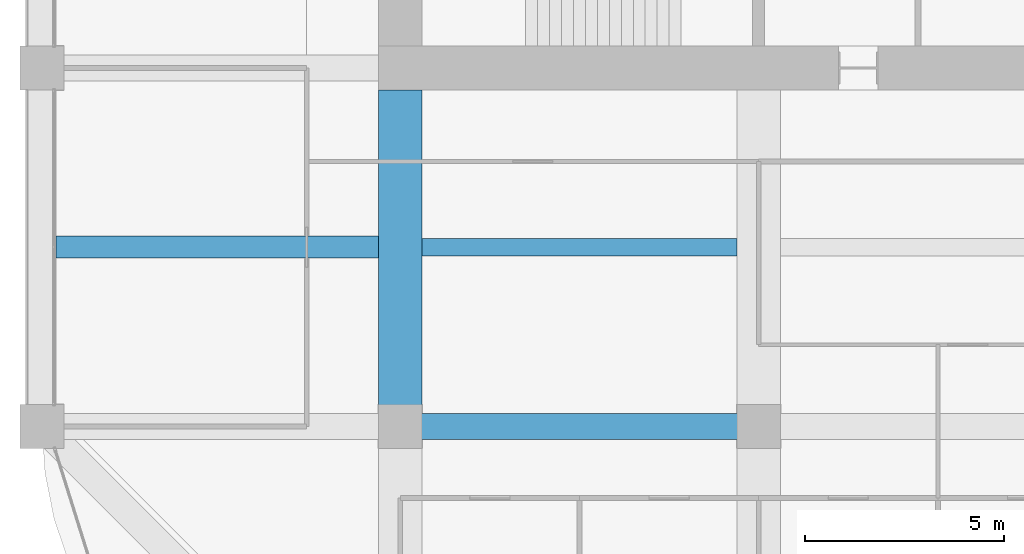
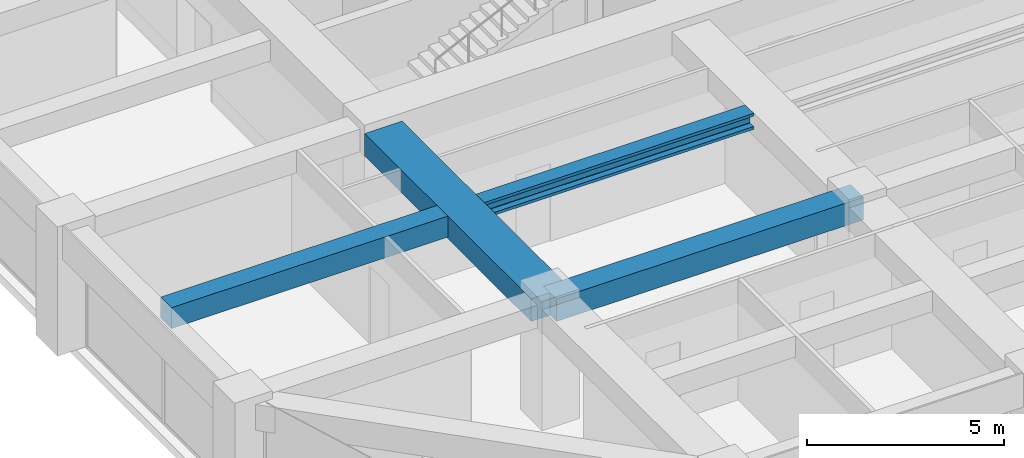
# One storey, part 8 of 44: 4 beams.
"""IFC4 building model written with IfcOpenShell, lengths in metres."""

from ifc_helpers import new_model, si_unit, direction, frame, origin, origin_2d, place, context, subcontext, project, spatial, rectangle, i_section, extrude, material, material_profile, profile_set, type_object, element, save


model = new_model("IFC4")

# Units and contexts
model_context = context("Model", 3, precision=1e-05, world=origin(), true_north=direction((0.0, 1.0)))
body_context = subcontext(model_context, "Body", "Model", "MODEL_VIEW")
ifc_project = project(units=[si_unit("LENGTHUNIT", "METRE"), si_unit("AREAUNIT", "SQUARE_METRE"), si_unit("VOLUMEUNIT", "CUBIC_METRE"), si_unit("PLANEANGLEUNIT", "RADIAN"), si_unit("MASSUNIT", "GRAM", prefix="KILO")], contexts=[model_context])

# Site, building, storey
site_placement = place(None, origin())
site = spatial("IfcSite", under=ifc_project, at=site_placement, CompositionType="ELEMENT")
building_placement = place(site_placement, origin())
building = spatial("IfcBuilding", under=site, at=building_placement, Name="Zorevar Civic Tower", CompositionType="ELEMENT")
storey_placement = place(building_placement, frame((0.0, 0.0, 283.39990234375)))
storey = spatial("IfcBuildingStorey", under=building, at=storey_placement, Name="L69", CompositionType="ELEMENT", Elevation=283.39990234375)

# Beams
ifc_material_1 = material(Name="Concrete C50/60", Category="concrete")
ifc_material_profile_1 = material_profile(ifc_material_1, rectangle(XDim=1.10009765625, YDim=0.699951171875, at=origin_2d()), Name="RC 1100x700")
ifc_profile_set_1 = profile_set([ifc_material_profile_1], Name="Concrete C50/60")
beam_type_1 = type_object("IfcBeamType", Name="Beam RC 1100x700", PredefinedType="BEAM", material=ifc_profile_set_1)
beam_1_placement = place(storey_placement, frame((18.0, 9.0, 3.400146484375), z_axis=(0.0, 1.0, 0.0), x_axis=(-1.0, 0.0, 0.0)))
element("IfcBeam", 1, at=beam_1_placement, inside=storey, type_object=beam_type_1, Name="Girder L70", PredefinedType="BEAM", context=body_context, shape_type="SweptSolid", body=[
    extrude(rectangle(XDim=1.10009765625, YDim=0.699951171875, at=origin_2d()), origin(), (0.0, 0.0, 1.0), 8.449951171875),
])
ifc_material_2 = material(Name="Concrete C50/60", Category="concrete")
ifc_material_profile_2 = material_profile(ifc_material_2, rectangle(XDim=0.550048828125, YDim=0.64990234375, at=origin_2d()), Name="RC 550x650")
ifc_profile_set_2 = profile_set([ifc_material_profile_2], Name="Concrete C50/60")
beam_type_2 = type_object("IfcBeamType", Name="Beam RC 550x650", PredefinedType="BEAM", material=ifc_profile_set_2)
beam_2_placement = place(storey_placement, frame((9.35009765625, 13.5, 3.425048828125), z_axis=(1.0, 0.0, 0.0), x_axis=(0.0, 1.0, 0.0)))
element("IfcBeam", 2, at=beam_2_placement, inside=storey, type_object=beam_type_2, Name="Secondary beam L70", PredefinedType="BEAM", context=body_context, shape_type="SweptSolid", body=[
    extrude(rectangle(XDim=0.550048828125, YDim=0.64990234375, at=origin_2d()), origin(), (0.0, 0.0, 1.0), 8.099853515625),
])
ifc_material_3 = material(Name="Concrete C50/60", Category="concrete")
ifc_material_profile_3 = material_profile(ifc_material_3, rectangle(XDim=0.64990234375, YDim=0.699951171875, at=origin_2d()), Name="RC 650x700")
ifc_profile_set_3 = profile_set([ifc_material_profile_3], Name="Concrete C50/60")
beam_type_3 = type_object("IfcBeamType", Name="Beam RC 650x700", PredefinedType="BEAM", material=ifc_profile_set_3)
beam_3_placement = place(storey_placement, frame((18.0, 9.0, 3.400146484375), z_axis=(1.0, 0.0, 0.0), x_axis=(0.0, 1.0, 0.0)))
element("IfcBeam", 3, at=beam_3_placement, inside=storey, type_object=beam_type_3, Name="Girder L70", PredefinedType="BEAM", context=body_context, shape_type="SweptSolid", body=[
    extrude(rectangle(XDim=0.64990234375, YDim=0.699951171875, at=origin_2d()), origin(), (0.0, 0.0, 1.0), 9.0),
])
ifc_material_4 = material(Name="Steel S460M (HISTAR 460)", Category="steel")
ifc_material_profile_4 = material_profile(ifc_material_4, i_section(OverallWidth=0.431884765625, OverallDepth=0.498046875, WebThickness=0.0556640625, FlangeThickness=0.0888671875, FilletRadius=0.014892578125, at=origin_2d()), Name="HD 400x744")
ifc_profile_set_4 = profile_set([ifc_material_profile_4], Name="Steel S460M (HISTAR 460)")
beam_type_4 = type_object("IfcBeamType", Name="Core bay beam HD 400x744", PredefinedType="BEAM", material=ifc_profile_set_4)
beam_4_placement = place(storey_placement, frame((18.550048828125, 13.5, 3.5009765625), z_axis=(1.0, 0.0, 0.0), x_axis=(0.0, 1.0, 0.0)))
element("IfcBeam", 4, at=beam_4_placement, inside=storey, type_object=beam_type_4, Name="Secondary beam L70", PredefinedType="BEAM", context=body_context, shape_type="SweptSolid", body=[
    extrude(i_section(OverallWidth=0.431884765625, OverallDepth=0.498046875, WebThickness=0.0556640625, FlangeThickness=0.0888671875, FilletRadius=0.014892578125, at=origin_2d()), origin(), (0.0, 0.0, 1.0), 7.89990234375),
])

save(model, "model.ifc")
